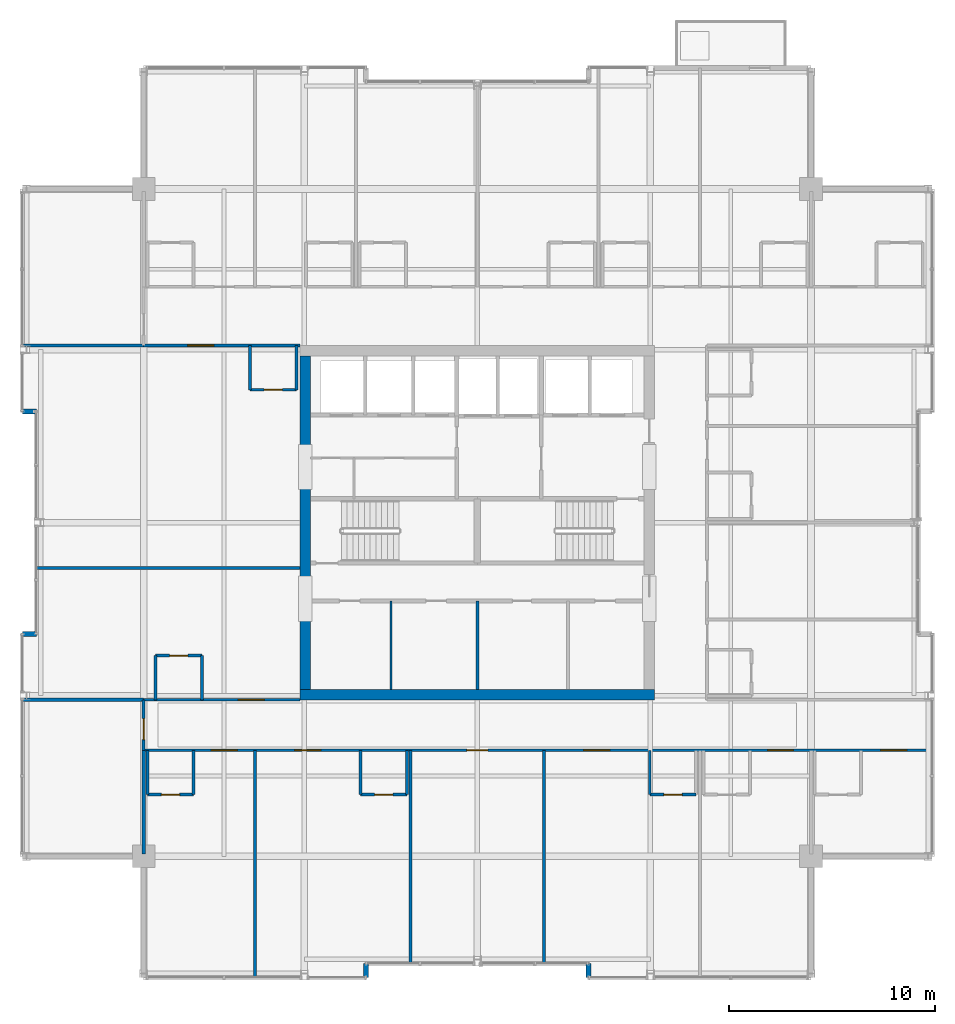
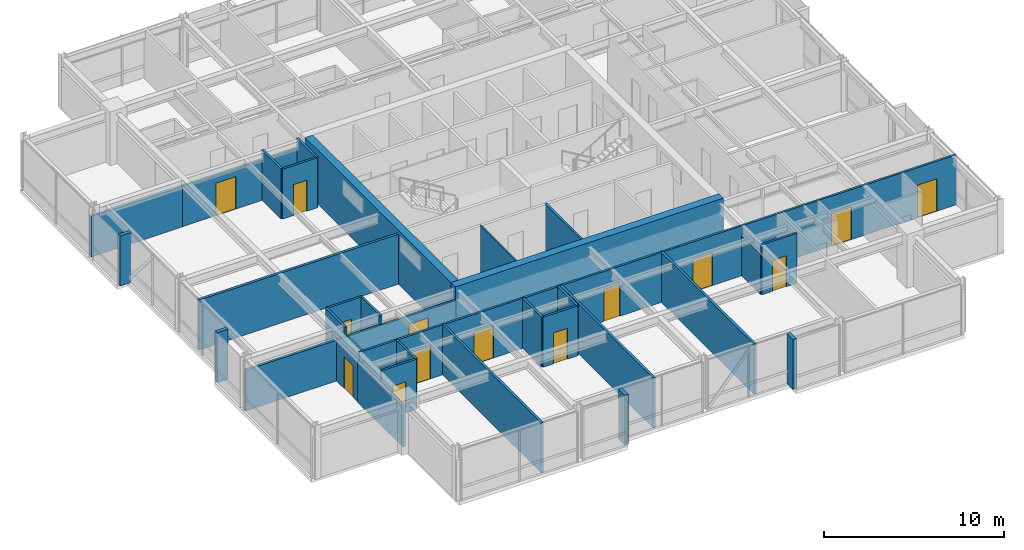
# One storey, part 28 of 34: 33 walls, 14 doors, 14 openings.
"""IFC4 building model written with IfcOpenShell, lengths in metres."""

from ifc_helpers import new_model, si_unit, direction, frame, frame_2d, origin, place, context, subcontext, project, spatial, rectangle, extrude, material, layer, layer_set, type_object, element, fill, save


model = new_model("IFC4")

# Units and contexts
model_context = context("Model", 3, precision=1e-05, world=origin(), true_north=direction((0.0, 1.0)))
body_context = subcontext(model_context, "Body", "Model", "MODEL_VIEW")
ifc_project = project(units=[si_unit("LENGTHUNIT", "METRE"), si_unit("AREAUNIT", "SQUARE_METRE"), si_unit("VOLUMEUNIT", "CUBIC_METRE"), si_unit("PLANEANGLEUNIT", "RADIAN"), si_unit("MASSUNIT", "GRAM", prefix="KILO")], contexts=[model_context])

# Site, building, storey
site_placement = place(None, origin())
site = spatial("IfcSite", under=ifc_project, at=site_placement, CompositionType="ELEMENT")
building_placement = place(site_placement, origin())
building = spatial("IfcBuilding", under=site, at=building_placement, Name="Drelvath Grand Hotel", CompositionType="ELEMENT")
storey_placement = place(building_placement, frame((0.0, 0.0, 272.300048828125)))
storey = spatial("IfcBuildingStorey", under=building, at=storey_placement, Name="L71", CompositionType="ELEMENT", Elevation=272.300048828125)

# Wall
ifc_material_1 = material(Name="Gypsum Partition Board")
ifc_layer_1 = layer(ifc_material_1, 0.10009765625)
ifc_layer_set_1 = layer_set([ifc_layer_1], Name="Gypsum Partition Board")
wall_type_1 = type_object("IfcWallType", Name="Core Closet Partition 100", PredefinedType="PARTITIONING", material=ifc_layer_set_1)
wall_1_placement = place(storey_placement, frame((-4.199951171875, 18.89990234375, 0.0), z_axis=(0.0, 0.0, 1.0), x_axis=(0.0, 1.0, 0.0)))
element("IfcWall", 1, at=wall_1_placement, inside=storey, type_object=wall_type_1, Name="L71 Upper Core Split 2A", PredefinedType="PARTITIONING", context=body_context, shape_type="SweptSolid", body=[
    extrude(rectangle(XDim=4.300048828125, YDim=0.10009765625, at=frame_2d((2.14990234375, 0.0))), origin(), (0.0, 0.0, 1.0), 3.389892578125),
])

# Wall, openings, doors
ifc_material_2 = material(Name="Gypsum Fireboard Partition")
ifc_layer_2 = layer(ifc_material_2, 0.135009765625)
ifc_layer_set_2 = layer_set([ifc_layer_2], Name="Gypsum Fireboard Partition")
wall_type_2 = type_object("IfcWallType", Name="Corridor Fire Barrier Wall 135", PredefinedType="PARTITIONING", material=ifc_layer_set_2)
wall_2_placement = place(storey_placement, frame((-16.199951171875, 15.949951171875, 0.0), z_axis=(0.0, 0.0, 1.0), x_axis=(1.0, 0.0, 0.0)))
wall_2 = element("IfcWall", 2, at=wall_2_placement, inside=storey, type_object=wall_type_2, Name="L71 South Cross-Gallery Wall", PredefinedType="PARTITIONING", context=body_context, shape_type="SweptSolid", body=[
    extrude(rectangle(XDim=38.280029296875, YDim=0.135009765625, at=frame_2d((19.14013671875, 0.0))), origin(), (0.0, 0.0, 1.0), 3.389892578125),
])
opening_1_placement = place(wall_2_placement, frame((35.784912109375, 0.0, 0.0)))
opening_1 = element("IfcOpeningElement", 3, at=opening_1_placement, cuts=wall_2, Name="Opening D-T5G1-023", PredefinedType="OPENING", context=body_context, shape_type="SweptSolid", body=[
    extrude(rectangle(XDim=1.260009765625, YDim=2.199951171875, at=frame_2d((0.6298828125, 1.10009765625))), frame((0.0, 0.077392578125, 0.0), z_axis=(0.0, -1.0, 0.0), x_axis=(1.0, 0.0, 0.0)), (0.0, 0.0, 1.0), 0.155029296875),
])
opening_2_placement = place(wall_2_placement, frame((3.284912109375, 0.0, 0.0)))
opening_2 = element("IfcOpeningElement", 4, at=opening_2_placement, cuts=wall_2, Name="Opening D-T5G1-027", PredefinedType="OPENING", context=body_context, shape_type="SweptSolid", body=[
    extrude(rectangle(XDim=1.260009765625, YDim=2.199951171875, at=frame_2d((0.6298828125, 1.10009765625))), frame((0.0, 0.077392578125, 0.0), z_axis=(0.0, -1.0, 0.0), x_axis=(1.0, 0.0, 0.0)), (0.0, 0.0, 1.0), 0.155029296875),
])
opening_3_placement = place(wall_2_placement, frame((7.3349609375, 0.0, 0.0)))
opening_3 = element("IfcOpeningElement", 5, at=opening_3_placement, cuts=wall_2, Name="Opening D-T5G1-029", PredefinedType="OPENING", context=body_context, shape_type="SweptSolid", body=[
    extrude(rectangle(XDim=1.260009765625, YDim=2.199951171875, at=frame_2d((0.6298828125, 1.10009765625))), frame((0.0, 0.077392578125, 0.0), z_axis=(0.0, -1.0, 0.0), x_axis=(1.0, 0.0, 0.0)), (0.0, 0.0, 1.0), 0.155029296875),
])
opening_4_placement = place(wall_2_placement, frame((15.68994140625, 0.0, 0.0)))
opening_4 = element("IfcOpeningElement", 6, at=opening_4_placement, cuts=wall_2, Name="Opening D-T5G1-030", PredefinedType="OPENING", context=body_context, shape_type="SweptSolid", body=[
    extrude(rectangle(XDim=1.02001953125, YDim=2.14990234375, at=frame_2d((0.510009765625, 1.074951171875))), frame((0.0, 0.077392578125, 0.0), z_axis=(0.0, -1.0, 0.0), x_axis=(1.0, 0.0, 0.0)), (0.0, 0.0, 1.0), 0.155029296875),
])
opening_5_placement = place(wall_2_placement, frame((21.375, 0.0, 0.0)))
opening_5 = element("IfcOpeningElement", 7, at=opening_5_placement, cuts=wall_2, Name="Opening D-T5G1-032", PredefinedType="OPENING", context=body_context, shape_type="SweptSolid", body=[
    extrude(rectangle(XDim=1.260009765625, YDim=2.199951171875, at=frame_2d((0.6298828125, 1.10009765625))), frame((0.0, 0.077392578125, 0.0), z_axis=(0.0, -1.0, 0.0), x_axis=(1.0, 0.0, 0.0)), (0.0, 0.0, 1.0), 0.155029296875),
])
opening_6_placement = place(wall_2_placement, frame((30.284912109375, 0.0, 0.0)))
opening_6 = element("IfcOpeningElement", 8, at=opening_6_placement, cuts=wall_2, Name="Opening D-T5G1-034", PredefinedType="OPENING", context=body_context, shape_type="SweptSolid", body=[
    extrude(rectangle(XDim=1.260009765625, YDim=2.199951171875, at=frame_2d((0.6298828125, 1.10009765625))), frame((0.0, 0.077392578125, 0.0), z_axis=(0.0, -1.0, 0.0), x_axis=(1.0, 0.0, 0.0)), (0.0, 0.0, 1.0), 0.155029296875),
])
ifc_material_3 = material(Name="Hardwood Walnut Timber", Category="wood")
door_type_1 = type_object("IfcDoorType", Name="Amenity Meeting Fire Door 1020x2150", OperationType="NOTDEFINED", PredefinedType="DOOR", material=ifc_material_3)
door_1_placement = place(opening_4_placement, origin())
door_1 = element("IfcDoor", 9, at=door_1_placement, inside=storey, type_object=door_type_1, Name="L71 Royal Sky Lounge Entry Door", OperationType="SINGLE_SWING_LEFT", OverallHeight=2.14990234375, OverallWidth=1.02001953125, PredefinedType="DOOR", context=body_context, shape_type="SweptSolid", body=[
    extrude(rectangle(XDim=1.02001953125, YDim=2.14990234375, at=frame_2d((0.510009765625, 1.074951171875))), frame((0.0, 0.02490234375, 0.0), z_axis=(0.0, -1.0, 0.0), x_axis=(1.0, 0.0, 0.0)), (0.0, 0.0, 1.0), 0.050048828125),
])
fill(opening_4, door_1)
door_type_2 = type_object("IfcDoorType", Name="Suite Entrance Fire Door 1260x2200", OperationType="NOTDEFINED", PredefinedType="DOOR", material=ifc_material_3)
door_2_placement = place(opening_1_placement, origin())
door_2 = element("IfcDoor", 10, at=door_2_placement, inside=storey, type_object=door_type_2, Name="L71 Royal Suite Entry Door", OperationType="SINGLE_SWING_RIGHT", OverallHeight=2.199951171875, OverallWidth=1.260009765625, PredefinedType="DOOR", context=body_context, shape_type="SweptSolid", body=[
    extrude(rectangle(XDim=1.260009765625, YDim=2.199951171875, at=frame_2d((0.6298828125, 1.10009765625))), frame((0.0, 0.02490234375, 0.0), z_axis=(0.0, -1.0, 0.0), x_axis=(1.0, 0.0, 0.0)), (0.0, 0.0, 1.0), 0.050048828125),
])
fill(opening_1, door_2)
door_3_placement = place(opening_2_placement, origin())
door_3 = element("IfcDoor", 11, at=door_3_placement, inside=storey, type_object=door_type_2, Name="L71 Royal Suite Entry Door", OperationType="SINGLE_SWING_RIGHT", OverallHeight=2.199951171875, OverallWidth=1.260009765625, PredefinedType="DOOR", context=body_context, shape_type="SweptSolid", body=[
    extrude(rectangle(XDim=1.260009765625, YDim=2.199951171875, at=frame_2d((0.6298828125, 1.10009765625))), frame((0.0, 0.02490234375, 0.0), z_axis=(0.0, -1.0, 0.0), x_axis=(1.0, 0.0, 0.0)), (0.0, 0.0, 1.0), 0.050048828125),
])
fill(opening_2, door_3)
door_4_placement = place(opening_3_placement, origin())
door_4 = element("IfcDoor", 12, at=door_4_placement, inside=storey, type_object=door_type_2, Name="L71 Royal Suite Entry Door", OperationType="SINGLE_SWING_RIGHT", OverallHeight=2.199951171875, OverallWidth=1.260009765625, PredefinedType="DOOR", context=body_context, shape_type="SweptSolid", body=[
    extrude(rectangle(XDim=1.260009765625, YDim=2.199951171875, at=frame_2d((0.6298828125, 1.10009765625))), frame((0.0, 0.02490234375, 0.0), z_axis=(0.0, -1.0, 0.0), x_axis=(1.0, 0.0, 0.0)), (0.0, 0.0, 1.0), 0.050048828125),
])
fill(opening_3, door_4)
door_5_placement = place(opening_5_placement, origin())
door_5 = element("IfcDoor", 13, at=door_5_placement, inside=storey, type_object=door_type_2, Name="L71 Royal Suite Entry Door", OperationType="SINGLE_SWING_LEFT", OverallHeight=2.199951171875, OverallWidth=1.260009765625, PredefinedType="DOOR", context=body_context, shape_type="SweptSolid", body=[
    extrude(rectangle(XDim=1.260009765625, YDim=2.199951171875, at=frame_2d((0.6298828125, 1.10009765625))), frame((0.0, 0.02490234375, 0.0), z_axis=(0.0, -1.0, 0.0), x_axis=(1.0, 0.0, 0.0)), (0.0, 0.0, 1.0), 0.050048828125),
])
fill(opening_5, door_5)
door_6_placement = place(opening_6_placement, origin())
door_6 = element("IfcDoor", 14, at=door_6_placement, inside=storey, type_object=door_type_2, Name="L71 Royal Suite Entry Door", OperationType="SINGLE_SWING_LEFT", OverallHeight=2.199951171875, OverallWidth=1.260009765625, PredefinedType="DOOR", context=body_context, shape_type="SweptSolid", body=[
    extrude(rectangle(XDim=1.260009765625, YDim=2.199951171875, at=frame_2d((0.6298828125, 1.10009765625))), frame((0.0, 0.02490234375, 0.0), z_axis=(0.0, -1.0, 0.0), x_axis=(1.0, 0.0, 0.0)), (0.0, 0.0, 1.0), 0.050048828125),
])
fill(opening_6, door_6)

# Wall, opening, door
wall_3_placement = place(storey_placement, frame((-16.199951171875, 18.39990234375, 0.0), z_axis=(0.0, 0.0, 1.0), x_axis=(1.0, 0.0, 0.0)))
wall_3 = element("IfcWall", 15, at=wall_3_placement, inside=storey, type_object=wall_type_2, Name="L71 South Gallery Inner West Wall", PredefinedType="PARTITIONING", context=body_context, shape_type="SweptSolid", body=[
    extrude(rectangle(XDim=7.599853515625, YDim=0.135009765625, at=frame_2d((3.7998046875, 0.0))), origin(), (0.0, 0.0, 1.0), 2.767333984375),
])
opening_7_placement = place(wall_3_placement, frame((4.5849609375, 0.0, 0.0)))
opening_7 = element("IfcOpeningElement", 16, at=opening_7_placement, cuts=wall_3, Name="Opening D-T5G1-055", PredefinedType="OPENING", context=body_context, shape_type="SweptSolid", body=[
    extrude(rectangle(XDim=1.260009765625, YDim=2.199951171875, at=frame_2d((0.6298828125, 1.10009765625))), frame((0.0, 0.077392578125, 0.0), z_axis=(0.0, -1.0, 0.0), x_axis=(1.0, 0.0, 0.0)), (0.0, 0.0, 1.0), 0.155029296875),
])
door_7_placement = place(opening_7_placement, origin())
door_7 = element("IfcDoor", 17, at=door_7_placement, inside=storey, type_object=door_type_2, Name="L71 Royal Suite Entry Door", OperationType="SINGLE_SWING_RIGHT", OverallHeight=2.199951171875, OverallWidth=1.260009765625, PredefinedType="DOOR", context=body_context, shape_type="SweptSolid", body=[
    extrude(rectangle(XDim=1.260009765625, YDim=2.199951171875, at=frame_2d((0.6298828125, 1.10009765625))), frame((0.0, 0.02490234375, 0.0), z_axis=(0.0, -1.0, 0.0), x_axis=(1.0, 0.0, 0.0)), (0.0, 0.0, 1.0), 0.050048828125),
])
fill(opening_7, door_7)

wall_4_placement = place(storey_placement, frame((-16.199951171875, 35.60009765625, 0.0), z_axis=(0.0, 0.0, 1.0), x_axis=(1.0, 0.0, 0.0)))
wall_4 = element("IfcWall", 18, at=wall_4_placement, inside=storey, type_object=wall_type_2, Name="L71 North Gallery Inner West Wall", PredefinedType="PARTITIONING", context=body_context, shape_type="SweptSolid", body=[
    extrude(rectangle(XDim=7.599853515625, YDim=0.135009765625, at=frame_2d((3.7998046875, 0.0))), origin(), (0.0, 0.0, 1.0), 2.767333984375),
])
opening_8_placement = place(wall_4_placement, frame((2.155029296875, 0.0, 0.0)))
opening_8 = element("IfcOpeningElement", 19, at=opening_8_placement, cuts=wall_4, Name="Opening D-T5G1-057", PredefinedType="OPENING", context=body_context, shape_type="SweptSolid", body=[
    extrude(rectangle(XDim=1.260009765625, YDim=2.199951171875, at=frame_2d((0.6298828125, 1.10009765625))), frame((0.0, 0.077392578125, 0.0), z_axis=(0.0, -1.0, 0.0), x_axis=(1.0, 0.0, 0.0)), (0.0, 0.0, 1.0), 0.155029296875),
])
door_8_placement = place(opening_8_placement, origin())
door_8 = element("IfcDoor", 20, at=door_8_placement, inside=storey, type_object=door_type_2, Name="L71 Royal Suite Entry Door", OperationType="SINGLE_SWING_RIGHT", OverallHeight=2.199951171875, OverallWidth=1.260009765625, PredefinedType="DOOR", context=body_context, shape_type="SweptSolid", body=[
    extrude(rectangle(XDim=1.260009765625, YDim=2.199951171875, at=frame_2d((0.6298828125, 1.10009765625))), frame((0.0, 0.02490234375, 0.0), z_axis=(0.0, -1.0, 0.0), x_axis=(1.0, 0.0, 0.0)), (0.0, 0.0, 1.0), 0.050048828125),
])
fill(opening_8, door_8)

wall_5_placement = place(storey_placement, frame((-16.199951171875, 15.949951171875, 0.0), z_axis=(0.0, 0.0, 1.0), x_axis=(0.0, 1.0, 0.0)))
wall_5 = element("IfcWall", 21, at=wall_5_placement, inside=storey, type_object=wall_type_2, Name="L71 South Gallery West End", PredefinedType="PARTITIONING", context=body_context, shape_type="SweptSolid", body=[
    extrude(rectangle(XDim=2.449951171875, YDim=0.135009765625, at=frame_2d((1.22509765625, 0.0))), origin(), (0.0, 0.0, 1.0), 2.763916015625),
])
opening_9_placement = place(wall_5_placement, frame((0.52001953125, 0.0, 0.0)))
opening_9 = element("IfcOpeningElement", 22, at=opening_9_placement, cuts=wall_5, Name="Opening D-T5G1-020", PredefinedType="OPENING", context=body_context, shape_type="SweptSolid", body=[
    extrude(rectangle(XDim=1.02001953125, YDim=2.14990234375, at=frame_2d((0.510009765625, 1.074951171875))), frame((0.0, 0.077392578125, 0.0), z_axis=(0.0, -1.0, 0.0), x_axis=(1.0, 0.0, 0.0)), (0.0, 0.0, 1.0), 0.155029296875),
])
door_9_placement = place(opening_9_placement, origin())
door_9 = element("IfcDoor", 23, at=door_9_placement, inside=storey, type_object=door_type_1, Name="L71 Corner Panorama Lounge Door", OperationType="SINGLE_SWING_LEFT", OverallHeight=2.14990234375, OverallWidth=1.02001953125, PredefinedType="DOOR", context=body_context, shape_type="SweptSolid", body=[
    extrude(rectangle(XDim=1.02001953125, YDim=2.14990234375, at=frame_2d((0.510009765625, 1.074951171875))), frame((0.0, 0.02490234375, 0.0), z_axis=(0.0, -1.0, 0.0), x_axis=(1.0, 0.0, 0.0)), (0.0, 0.0, 1.0), 0.050048828125),
])
fill(opening_9, door_9)

# Walls
ifc_material_4 = material(Name="Moisture-Resistant Gypsum Board")
ifc_layer_3 = layer(ifc_material_4, 0.139892578125)
ifc_layer_set_3 = layer_set([ifc_layer_3], Name="Moisture-Resistant Gypsum Board")
wall_type_3 = type_object("IfcWallType", Name="En-Suite Plumbing Wall 140", PredefinedType="PLUMBINGWALL", material=ifc_layer_set_3)
wall_6_placement = place(storey_placement, frame((0.0, 18.89990234375, 0.0), z_axis=(0.0, 0.0, 1.0), x_axis=(0.0, 1.0, 0.0)))
element("IfcWall", 24, at=wall_6_placement, inside=storey, type_object=wall_type_3, Name="L71 Upper Core Split 2B", PredefinedType="PLUMBINGWALL", context=body_context, shape_type="SweptSolid", body=[
    extrude(rectangle(XDim=4.300048828125, YDim=0.139892578125, at=frame_2d((2.14990234375, 0.0))), origin(), (0.0, 0.0, 1.0), 3.389892578125),
])
wall_7_placement = place(storey_placement, frame((-16.02001953125, 15.949951171875, 0.0), z_axis=(0.0, 0.0, 1.0), x_axis=(0.0, -1.0, 0.0)))
element("IfcWall", 25, at=wall_7_placement, inside=storey, type_object=wall_type_3, Name="L71 En-Suite Left Wall", PredefinedType="PLUMBINGWALL", context=body_context, shape_type="SweptSolid", body=[
    extrude(rectangle(XDim=2.14990234375, YDim=0.139892578125, at=frame_2d((1.074951171875, 0.0))), origin(), (0.0, 0.0, 1.0), 2.763916015625),
])
wall_8_placement = place(storey_placement, frame((-13.77001953125, 15.949951171875, 0.0), z_axis=(0.0, 0.0, 1.0), x_axis=(0.0, -1.0, 0.0)))
element("IfcWall", 26, at=wall_8_placement, inside=storey, type_object=wall_type_3, Name="L71 En-Suite Right Wall", PredefinedType="PLUMBINGWALL", context=body_context, shape_type="SweptSolid", body=[
    extrude(rectangle(XDim=2.14990234375, YDim=0.139892578125, at=frame_2d((1.074951171875, 0.0))), origin(), (0.0, 0.0, 1.0), 3.389892578125),
])

# Wall, opening, door
wall_9_placement = place(storey_placement, frame((-16.02001953125, 13.800048828125, 0.0), z_axis=(0.0, 0.0, 1.0), x_axis=(1.0, 0.0, 0.0)))
wall_9 = element("IfcWall", 27, at=wall_9_placement, inside=storey, type_object=wall_type_3, Name="L71 En-Suite Front Wall", PredefinedType="PLUMBINGWALL", context=body_context, shape_type="SweptSolid", body=[
    extrude(rectangle(XDim=2.25, YDim=0.139892578125, at=frame_2d((1.125, 0.0))), origin(), (0.0, 0.0, 1.0), 3.389892578125),
])
opening_10_placement = place(wall_9_placement, frame((0.68505859375, 0.0, 0.0)))
opening_10 = element("IfcOpeningElement", 28, at=opening_10_placement, cuts=wall_9, Name="Opening D-T5G1-026", PredefinedType="OPENING", context=body_context, shape_type="SweptSolid", body=[
    extrude(rectangle(XDim=0.8798828125, YDim=2.10009765625, at=frame_2d((0.43994140625, 1.050048828125))), frame((0.0, 0.079833984375, 0.0), z_axis=(0.0, -1.0, 0.0), x_axis=(1.0, 0.0, 0.0)), (0.0, 0.0, 1.0), 0.159912109375),
])
door_type_3 = type_object("IfcDoorType", Name="En-Suite Bathroom Door 880x2100", OperationType="NOTDEFINED", PredefinedType="DOOR", material=ifc_material_3)
door_10_placement = place(opening_10_placement, origin())
door_10 = element("IfcDoor", 29, at=door_10_placement, inside=storey, type_object=door_type_3, Name="L71 En-Suite Bathroom Door", OperationType="SINGLE_SWING_LEFT", OverallHeight=2.10009765625, OverallWidth=0.8798828125, PredefinedType="DOOR", context=body_context, shape_type="SweptSolid", body=[
    extrude(rectangle(XDim=0.8798828125, YDim=2.10009765625, at=frame_2d((0.43994140625, 1.050048828125))), frame((0.0, 0.02490234375, 0.0), z_axis=(0.0, -1.0, 0.0), x_axis=(1.0, 0.0, 0.0)), (0.0, 0.0, 1.0), 0.050048828125),
])
fill(opening_10, door_10)

# Walls
for number, where, z_axis, x_axis, name in (
    (30, (-5.669921875, 15.949951171875, 0.0), (0.0, 0.0, 1.0), (0.0, -1.0, 0.0), "L71 En-Suite Left Wall"),
    (31, (-3.419921875, 15.949951171875, 0.0), (0.0, 0.0, 1.0), (0.0, -1.0, 0.0), "L71 En-Suite Right Wall"),
):
    element("IfcWall", number, at=place(storey_placement, frame(where, z_axis=z_axis, x_axis=x_axis)), inside=storey, type_object=wall_type_3, Name=name, PredefinedType="PLUMBINGWALL", context=body_context, shape_type="SweptSolid", body=[
        extrude(rectangle(XDim=2.14990234375, YDim=0.139892578125, at=frame_2d((1.074951171875, 0.0))), origin(), (0.0, 0.0, 1.0), 3.389892578125),
    ])

# Wall, opening, door
wall_10_placement = place(storey_placement, frame((-5.669921875, 13.800048828125, 0.0), z_axis=(0.0, 0.0, 1.0), x_axis=(1.0, 0.0, 0.0)))
wall_10 = element("IfcWall", 32, at=wall_10_placement, inside=storey, type_object=wall_type_3, Name="L71 En-Suite Front Wall", PredefinedType="PLUMBINGWALL", context=body_context, shape_type="SweptSolid", body=[
    extrude(rectangle(XDim=2.25, YDim=0.139892578125, at=frame_2d((1.125, 0.0))), origin(), (0.0, 0.0, 1.0), 3.389892578125),
])
opening_11_placement = place(wall_10_placement, frame((0.68505859375, 0.0, 0.0)))
opening_11 = element("IfcOpeningElement", 33, at=opening_11_placement, cuts=wall_10, Name="Opening D-T5G1-028", PredefinedType="OPENING", context=body_context, shape_type="SweptSolid", body=[
    extrude(rectangle(XDim=0.8798828125, YDim=2.10009765625, at=frame_2d((0.43994140625, 1.050048828125))), frame((0.0, 0.079833984375, 0.0), z_axis=(0.0, -1.0, 0.0), x_axis=(1.0, 0.0, 0.0)), (0.0, 0.0, 1.0), 0.159912109375),
])
door_11_placement = place(opening_11_placement, origin())
door_11 = element("IfcDoor", 34, at=door_11_placement, inside=storey, type_object=door_type_3, Name="L71 En-Suite Bathroom Door", OperationType="SINGLE_SWING_LEFT", OverallHeight=2.10009765625, OverallWidth=0.8798828125, PredefinedType="DOOR", context=body_context, shape_type="SweptSolid", body=[
    extrude(rectangle(XDim=0.8798828125, YDim=2.10009765625, at=frame_2d((0.43994140625, 1.050048828125))), frame((0.0, 0.02490234375, 0.0), z_axis=(0.0, -1.0, 0.0), x_axis=(1.0, 0.0, 0.0)), (0.0, 0.0, 1.0), 0.050048828125),
])
fill(opening_11, door_11)

# Wall
wall_11_placement = place(storey_placement, frame((8.3701171875, 15.949951171875, 0.0), z_axis=(0.0, 0.0, 1.0), x_axis=(0.0, -1.0, 0.0)))
element("IfcWall", 35, at=wall_11_placement, inside=storey, type_object=wall_type_3, Name="L71 En-Suite Left Wall", PredefinedType="PLUMBINGWALL", context=body_context, shape_type="SweptSolid", body=[
    extrude(rectangle(XDim=2.14990234375, YDim=0.139892578125, at=frame_2d((1.074951171875, 0.0))), origin(), (0.0, 0.0, 1.0), 2.767333984375),
])

# Wall, opening, door
wall_12_placement = place(storey_placement, frame((8.3701171875, 13.800048828125, 0.0), z_axis=(0.0, 0.0, 1.0), x_axis=(1.0, 0.0, 0.0)))
wall_12 = element("IfcWall", 36, at=wall_12_placement, inside=storey, type_object=wall_type_3, Name="L71 En-Suite Front Wall", PredefinedType="PLUMBINGWALL", context=body_context, shape_type="SweptSolid", body=[
    extrude(rectangle(XDim=2.25, YDim=0.139892578125, at=frame_2d((1.125, 0.0))), origin(), (0.0, 0.0, 1.0), 3.389892578125),
])
opening_12_placement = place(wall_12_placement, frame((0.68505859375, 0.0, 0.0)))
opening_12 = element("IfcOpeningElement", 37, at=opening_12_placement, cuts=wall_12, Name="Opening D-T5G1-031", PredefinedType="OPENING", context=body_context, shape_type="SweptSolid", body=[
    extrude(rectangle(XDim=0.8798828125, YDim=2.10009765625, at=frame_2d((0.43994140625, 1.050048828125))), frame((0.0, 0.079833984375, 0.0), z_axis=(0.0, -1.0, 0.0), x_axis=(1.0, 0.0, 0.0)), (0.0, 0.0, 1.0), 0.159912109375),
])
door_12_placement = place(opening_12_placement, origin())
door_12 = element("IfcDoor", 38, at=door_12_placement, inside=storey, type_object=door_type_3, Name="L71 En-Suite Bathroom Door", OperationType="SINGLE_SWING_RIGHT", OverallHeight=2.10009765625, OverallWidth=0.8798828125, PredefinedType="DOOR", context=body_context, shape_type="SweptSolid", body=[
    extrude(rectangle(XDim=0.8798828125, YDim=2.10009765625, at=frame_2d((0.43994140625, 1.050048828125))), frame((0.0, 0.02490234375, 0.0), z_axis=(0.0, -1.0, 0.0), x_axis=(1.0, 0.0, 0.0)), (0.0, 0.0, 1.0), 0.050048828125),
])
fill(opening_12, door_12)

# Walls
for number, where, z_axis, x_axis, name in (
    (39, (-15.6201171875, 18.39990234375, 0.0), (0.0, 0.0, 1.0), (0.0, 1.0, 0.0), "L71 En-Suite Left Wall"),
    (40, (-13.3701171875, 18.39990234375, 0.0), (0.0, 0.0, 1.0), (0.0, 1.0, 0.0), "L71 En-Suite Right Wall"),
):
    element("IfcWall", number, at=place(storey_placement, frame(where, z_axis=z_axis, x_axis=x_axis)), inside=storey, type_object=wall_type_3, Name=name, PredefinedType="PLUMBINGWALL", context=body_context, shape_type="SweptSolid", body=[
        extrude(rectangle(XDim=2.150146484375, YDim=0.139892578125, at=frame_2d((1.0751953125, 0.0))), origin(), (0.0, 0.0, 1.0), 3.389892578125),
    ])

# Wall, opening, door
wall_13_placement = place(storey_placement, frame((-15.6201171875, 20.550048828125, 0.0), z_axis=(0.0, 0.0, 1.0), x_axis=(1.0, 0.0, 0.0)))
wall_13 = element("IfcWall", 41, at=wall_13_placement, inside=storey, type_object=wall_type_3, Name="L71 En-Suite Front Wall", PredefinedType="PLUMBINGWALL", context=body_context, shape_type="SweptSolid", body=[
    extrude(rectangle(XDim=2.25, YDim=0.139892578125, at=frame_2d((1.125, 0.0))), origin(), (0.0, 0.0, 1.0), 3.389892578125),
])
opening_13_placement = place(wall_13_placement, frame((0.68505859375, 0.0, 0.0)))
opening_13 = element("IfcOpeningElement", 42, at=opening_13_placement, cuts=wall_13, Name="Opening D-T5G1-054", PredefinedType="OPENING", context=body_context, shape_type="SweptSolid", body=[
    extrude(rectangle(XDim=0.8798828125, YDim=2.10009765625, at=frame_2d((0.43994140625, 1.050048828125))), frame((0.0, 0.079833984375, 0.0), z_axis=(0.0, -1.0, 0.0), x_axis=(1.0, 0.0, 0.0)), (0.0, 0.0, 1.0), 0.159912109375),
])
door_13_placement = place(opening_13_placement, origin())
door_13 = element("IfcDoor", 43, at=door_13_placement, inside=storey, type_object=door_type_3, Name="L71 En-Suite Bathroom Door", OperationType="SINGLE_SWING_LEFT", OverallHeight=2.10009765625, OverallWidth=0.8798828125, PredefinedType="DOOR", context=body_context, shape_type="SweptSolid", body=[
    extrude(rectangle(XDim=0.8798828125, YDim=2.10009765625, at=frame_2d((0.43994140625, 1.050048828125))), frame((0.0, 0.02490234375, 0.0), z_axis=(0.0, -1.0, 0.0), x_axis=(1.0, 0.0, 0.0)), (0.0, 0.0, 1.0), 0.050048828125),
])
fill(opening_13, door_13)

# Walls
for number, where, z_axis, x_axis, name in (
    (44, (-11.030029296875, 35.60009765625, 0.0), (0.0, 0.0, 1.0), (0.0, -1.0, 0.0), "L71 En-Suite Left Wall"),
    (45, (-8.780029296875, 35.60009765625, 0.0), (0.0, 0.0, 1.0), (0.0, -1.0, 0.0), "L71 En-Suite Right Wall"),
):
    element("IfcWall", number, at=place(storey_placement, frame(where, z_axis=z_axis, x_axis=x_axis)), inside=storey, type_object=wall_type_3, Name=name, PredefinedType="PLUMBINGWALL", context=body_context, shape_type="SweptSolid", body=[
        extrude(rectangle(XDim=2.150146484375, YDim=0.139892578125, at=frame_2d((1.0751953125, 0.0))), origin(), (0.0, 0.0, 1.0), 3.389892578125),
    ])

# Wall, opening, door
wall_14_placement = place(storey_placement, frame((-11.030029296875, 33.449951171875, 0.0), z_axis=(0.0, 0.0, 1.0), x_axis=(1.0, 0.0, 0.0)))
wall_14 = element("IfcWall", 46, at=wall_14_placement, inside=storey, type_object=wall_type_3, Name="L71 En-Suite Front Wall", PredefinedType="PLUMBINGWALL", context=body_context, shape_type="SweptSolid", body=[
    extrude(rectangle(XDim=2.25, YDim=0.139892578125, at=frame_2d((1.125, 0.0))), origin(), (0.0, 0.0, 1.0), 3.389892578125),
])
opening_14_placement = place(wall_14_placement, frame((0.68505859375, 0.0, 0.0)))
opening_14 = element("IfcOpeningElement", 47, at=opening_14_placement, cuts=wall_14, Name="Opening D-T5G1-056", PredefinedType="OPENING", context=body_context, shape_type="SweptSolid", body=[
    extrude(rectangle(XDim=0.8798828125, YDim=2.10009765625, at=frame_2d((0.43994140625, 1.050048828125))), frame((0.0, 0.079833984375, 0.0), z_axis=(0.0, -1.0, 0.0), x_axis=(1.0, 0.0, 0.0)), (0.0, 0.0, 1.0), 0.159912109375),
])
door_14_placement = place(opening_14_placement, origin())
door_14 = element("IfcDoor", 48, at=door_14_placement, inside=storey, type_object=door_type_3, Name="L71 En-Suite Bathroom Door", OperationType="SINGLE_SWING_LEFT", OverallHeight=2.10009765625, OverallWidth=0.8798828125, PredefinedType="DOOR", context=body_context, shape_type="SweptSolid", body=[
    extrude(rectangle(XDim=0.8798828125, YDim=2.10009765625, at=frame_2d((0.43994140625, 1.050048828125))), frame((0.0, 0.02490234375, 0.0), z_axis=(0.0, -1.0, 0.0), x_axis=(1.0, 0.0, 0.0)), (0.0, 0.0, 1.0), 0.050048828125),
])
fill(opening_14, door_14)

# Walls
ifc_material_5 = material(Name="Gypsum Acoustic Partition")
ifc_layer_4 = layer(ifc_material_5, 0.14990234375)
ifc_layer_set_4 = layer_set([ifc_layer_4], Name="Gypsum Acoustic Partition")
wall_type_4 = type_object("IfcWallType", Name="Guestroom Demising Wall 150", PredefinedType="PARTITIONING", material=ifc_layer_set_4)
wall_15_placement = place(storey_placement, frame((-10.800048828125, 4.919921875, 0.0), z_axis=(0.0, 0.0, 1.0), x_axis=(0.0, 1.0, 0.0)))
element("IfcWall", 49, at=wall_15_placement, inside=storey, type_object=wall_type_4, Name="L71 South Demising 1", PredefinedType="PARTITIONING", context=body_context, shape_type="SweptSolid", body=[
    extrude(rectangle(XDim=11.030029296875, YDim=0.14990234375, at=frame_2d((5.51513671875, 0.0))), origin(), (0.0, 0.0, 1.0), 3.389892578125),
])
for number, where, z_axis, x_axis, name in (
    (50, (-3.239990234375, 5.60009765625, 0.0), (0.0, 0.0, 1.0), (0.0, 1.0, 0.0), "L71 South Demising 2"),
    (51, (3.239990234375, 5.60009765625, 0.0), (0.0, 0.0, 1.0), (0.0, 1.0, 0.0), "L71 South Demising 3"),
):
    element("IfcWall", number, at=place(storey_placement, frame(where, z_axis=z_axis, x_axis=x_axis)), inside=storey, type_object=wall_type_4, Name=name, PredefinedType="PARTITIONING", context=body_context, shape_type="SweptSolid", body=[
        extrude(rectangle(XDim=10.349853515625, YDim=0.14990234375, at=frame_2d((5.1748046875, 0.0))), origin(), (0.0, 0.0, 1.0), 3.389892578125),
    ])
ifc_layer_5 = layer(ifc_material_5, 0.1650390625)
ifc_layer_set_5 = layer_set([ifc_layer_5], Name="Gypsum Acoustic Partition")
wall_type_5 = type_object("IfcWallType", Name="Suite Demising Wall 165", PredefinedType="PARTITIONING", material=ifc_layer_set_5)
wall_16_placement = place(storey_placement, frame((-16.199951171875, 10.919921875, 0.0), z_axis=(0.0, 0.0, 1.0), x_axis=(0.0, 1.0, 0.0)))
element("IfcWall", 52, at=wall_16_placement, inside=storey, type_object=wall_type_5, Name="L71 SW Suite Wall", PredefinedType="PARTITIONING", context=body_context, shape_type="SweptSolid", body=[
    extrude(rectangle(XDim=5.030029296875, YDim=0.1650390625, at=frame_2d((2.51513671875, 0.0))), origin(), (0.0, 0.0, 1.0), 2.763916015625),
])
for number, where, z_axis, x_axis, name in (
    (53, (-22.080078125, 18.39990234375, 0.0), (0.0, 0.0, 1.0), (1.0, 0.0, 0.0), "L71 SW Corner North Wall"),
    (54, (-22.080078125, 35.60009765625, 0.0), (0.0, 0.0, 1.0), (1.0, 0.0, 0.0), "L71 NW Corner South Wall"),
):
    element("IfcWall", number, at=place(storey_placement, frame(where, z_axis=z_axis, x_axis=x_axis)), inside=storey, type_object=wall_type_5, Name=name, PredefinedType="PARTITIONING", context=body_context, shape_type="SweptSolid", body=[
        extrude(rectangle(XDim=5.880126953125, YDim=0.1650390625, at=frame_2d((2.93994140625, 0.0))), origin(), (0.0, 0.0, 1.0), 2.763916015625),
    ])
wall_17_placement = place(storey_placement, frame((-21.39990234375, 24.800048828125, 0.0), z_axis=(0.0, 0.0, 1.0), x_axis=(1.0, 0.0, 0.0)))
element("IfcWall", 55, at=wall_17_placement, inside=storey, type_object=wall_type_5, Name="L71 West Grand Suite Split Wall", PredefinedType="PARTITIONING", context=body_context, shape_type="SweptSolid", body=[
    extrude(rectangle(XDim=12.7998046875, YDim=0.1650390625, at=frame_2d((6.39990234375, 0.0))), origin(), (0.0, 0.0, 1.0), 3.389892578125),
])
ifc_material_6 = material(Name="Pale-Metal Insulated Aluminium Spandrel Assembly", Category="aluminium")
ifc_layer_6 = layer(ifc_material_6, 0.239990234375)
ifc_layer_set_6 = layer_set([ifc_layer_6], Name="Pale-Metal Insulated Aluminium Spandrel Assembly")
wall_type_6 = type_object("IfcWallType", Name="Tower Insulated Metal Spandrel Closure Wall 240", PredefinedType="STANDARD", material=ifc_layer_set_6)
for number, where, z_axis, x_axis, name in (
    (56, (-22.080078125, 21.60009765625, 0.0), (0.0, 0.0, 1.0), (1.0, 0.0, 0.0), "L71 Notched Corner Return Spandrel Wall RW1"),
    (57, (-21.39990234375, 32.39990234375, 0.0), (0.0, 0.0, 1.0), (-1.0, 0.0, 0.0), "L71 Notched Corner Return Spandrel Wall RW2"),
    (58, (5.39990234375, 4.919921875, 0.0), (0.0, 0.0, 1.0), (0.0, 1.0, 0.0), "L71 Notched Corner Return Spandrel Wall RS1"),
    (59, (-5.39990234375, 5.60009765625, 0.0), (0.0, 0.0, 1.0), (0.0, -1.0, 0.0), "L71 Notched Corner Return Spandrel Wall RS2"),
):
    element("IfcWall", number, at=place(storey_placement, frame(where, z_axis=z_axis, x_axis=x_axis)), inside=storey, type_object=wall_type_6, Name=name, PredefinedType="STANDARD", context=body_context, shape_type="SweptSolid", body=[
        extrude(rectangle(XDim=0.68017578125, YDim=0.239990234375, at=frame_2d((0.340087890625, 0.0))), origin(), (0.0, 0.0, 1.0), 3.389892578125),
    ])
ifc_material_7 = material(Name="Concrete f'c 55 MPa", Category="concrete")
ifc_layer_7 = layer(ifc_material_7, 0.5)
ifc_layer_set_7 = layer_set([ifc_layer_7], Name="Concrete f'c 55 MPa")
wall_type_7 = type_object("IfcWallType", Name="Upper Core RC Shear Wall 500", PredefinedType="SHEAR", material=ifc_layer_set_7)
wall_18_placement = place(storey_placement, frame((8.60009765625, 18.64990234375, 0.0), z_axis=(0.0, 0.0, 1.0), x_axis=(-1.0, 0.0, 0.0)))
element("IfcWall", 60, at=wall_18_placement, inside=storey, type_object=wall_type_7, Name="L71 Central Core Shear Wall S", PredefinedType="SHEAR", context=body_context, shape_type="SweptSolid", body=[
    extrude(rectangle(XDim=17.2001953125, YDim=0.5, at=frame_2d((8.60009765625, 0.0))), origin(), (0.0, 0.0, 1.0), 3.64990234375),
])
wall_19_placement = place(storey_placement, frame((-8.35009765625, 18.89990234375, 0.0), z_axis=(0.0, 0.0, 1.0), x_axis=(0.0, 1.0, 0.0)))
element("IfcWall", 61, at=wall_19_placement, inside=storey, type_object=wall_type_7, Name="L71 Central Core Shear Wall W", PredefinedType="SHEAR", context=body_context, shape_type="SweptSolid", body=[
    extrude(rectangle(XDim=16.2001953125, YDim=0.5, at=frame_2d((8.10009765625, 0.0))), origin(), (0.0, 0.0, 1.0), 3.64990234375),
])

save(model, "model.ifc")
